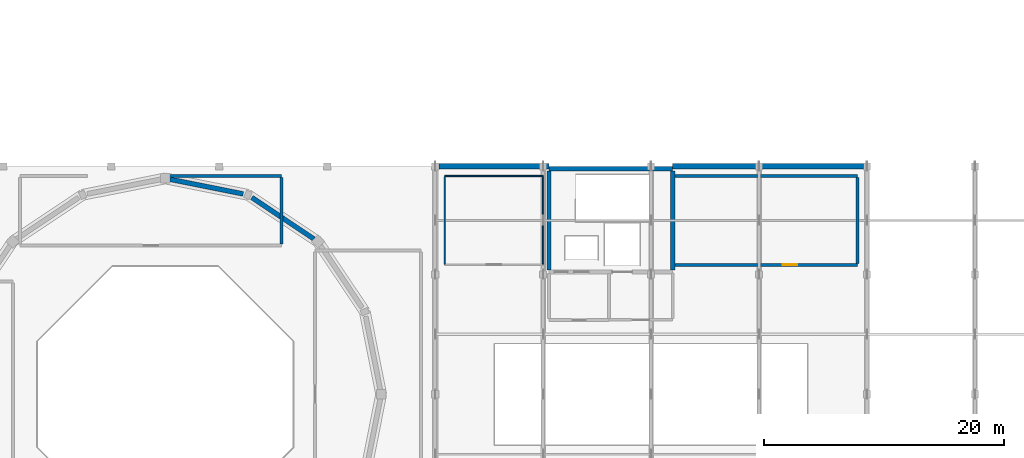
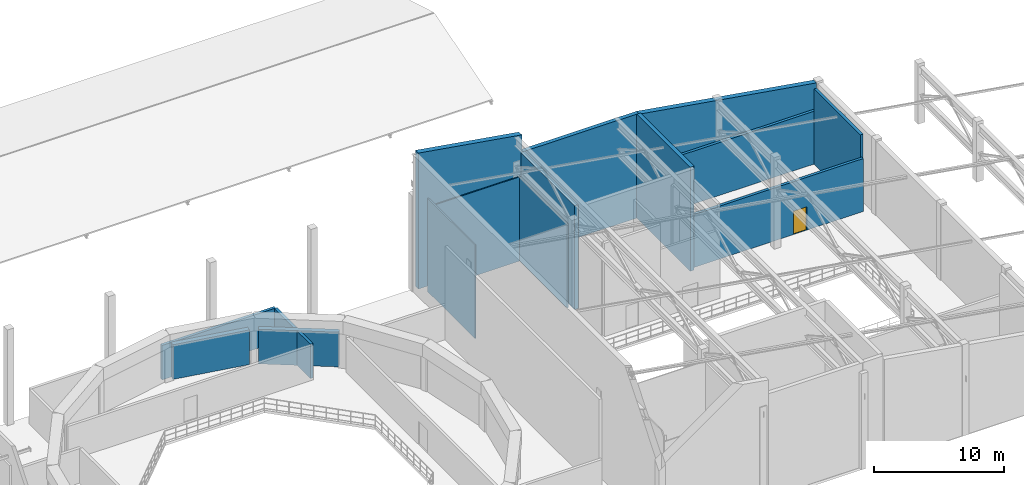
# One storey, part 64 of 68: 15 walls, 1 door, 1 opening.
"""IFC4 building model written with IfcOpenShell, lengths in metres."""

from ifc_helpers import new_model, si_unit, direction, frame, frame_2d, origin, place, context, subcontext, project, spatial, polyline, rectangle, outline, extrude, material, layer, layer_set, type_object, element, fill, save


model = new_model("IFC4")

# Units and contexts
model_context = context("Model", 3, precision=1e-05, world=origin(), true_north=direction((0.0, 1.0)))
body_context = subcontext(model_context, "Body", "Model", "MODEL_VIEW")
ifc_project = project(units=[si_unit("LENGTHUNIT", "METRE"), si_unit("AREAUNIT", "SQUARE_METRE"), si_unit("VOLUMEUNIT", "CUBIC_METRE"), si_unit("PLANEANGLEUNIT", "RADIAN"), si_unit("MASSUNIT", "GRAM", prefix="KILO")], contexts=[model_context])

# Site, building, storey
site_placement = place(None, origin())
site = spatial("IfcSite", under=ifc_project, at=site_placement, CompositionType="ELEMENT")
building_placement = place(site_placement, origin())
building = spatial("IfcBuilding", under=site, at=building_placement, Name="Miravela Opera House", CompositionType="ELEMENT")
storey_placement = place(building_placement, frame((0.0, 0.0, 21.760009765625)))
storey = spatial("IfcBuildingStorey", under=building, at=storey_placement, Name="L05", CompositionType="ELEMENT", Elevation=21.760009765625)

# Walls
ifc_material_1 = material(Name="Double-layer acoustic gypsum partition")
ifc_layer_1 = layer(ifc_material_1, 0.110107421875)
ifc_layer_set_1 = layer_set([ifc_layer_1])
wall_type_1 = type_object("IfcWallType", Name="ARC-PT-110", PredefinedType="PARTITIONING", material=ifc_layer_set_1)
wall_1_placement = place(storey_placement, frame((99.800048828125, 74.199951171875, 0.0), z_axis=(0.0, 0.0, 1.0), x_axis=(1.0, 0.0, 0.0)))
element("IfcWall", 1, at=wall_1_placement, inside=storey, type_object=wall_type_1, Name="Stage Smoke Exhaust Monitoring Room Partition North", PredefinedType="PARTITIONING", context=body_context, shape_type="SweptSolid", body=[
    extrude(rectangle(XDim=8.199951171875, YDim=0.110107421875, at=frame_2d((4.10009765625, 0.0))), origin(), (0.0, 0.0, 1.0), 7.919677734375),
])
wall_2_placement = place(storey_placement, frame((99.800048828125, 66.85498046875, 0.0), z_axis=(0.0, 0.0, 1.0), x_axis=(0.0, 1.0, 0.0)))
element("IfcWall", 2, at=wall_2_placement, inside=storey, type_object=wall_type_1, Name="Stage Smoke Exhaust Monitoring Room Partition West", PredefinedType="PARTITIONING", context=body_context, shape_type="SweptSolid", body=[
    extrude(rectangle(XDim=7.2900390625, YDim=0.110107421875, at=frame_2d((3.64501953125, 0.0))), origin(), (0.0, 0.0, 1.0), 8.780029296875),
])
wall_3_placement = place(storey_placement, frame((108.0, 66.85498046875, 0.0), z_axis=(0.0, 0.0, 1.0), x_axis=(0.0, 1.0, 0.0)))
element("IfcWall", 3, at=wall_3_placement, inside=storey, type_object=wall_type_1, Name="Stage Smoke Exhaust Monitoring Room Partition East", PredefinedType="PARTITIONING", context=body_context, shape_type="SweptSolid", body=[
    extrude(rectangle(XDim=7.2900390625, YDim=0.110107421875, at=frame_2d((3.64501953125, 0.0))), origin(), (0.0, 0.0, 1.0), 7.919677734375),
])

# Wall, opening, door
ifc_material_2 = material(Name="Firefighting lobby compartment wall")
ifc_layer_2 = layer(ifc_material_2, 0.25)
ifc_layer_set_2 = layer_set([ifc_layer_2])
wall_type_2 = type_object("IfcWallType", Name="ARC-PT-220", PredefinedType="PARTITIONING", material=ifc_layer_set_2)
wall_4_placement = place(storey_placement, frame((118.97509765625, 66.800048828125, 0.0), z_axis=(0.0, 0.0, 1.0), x_axis=(1.0, 0.0, 0.0)))
wall_4 = element("IfcWall", 4, at=wall_4_placement, inside=storey, type_object=wall_type_2, Name="Stage Fly Tower Gridiron Rigging Deck Partition South", PredefinedType="PARTITIONING", context=body_context, shape_type="SweptSolid", body=[
    extrude(rectangle(XDim=15.224853515625, YDim=0.25, at=frame_2d((7.6123046875, 0.0))), origin(), (0.0, 0.0, 1.0), 4.974365234375),
])
opening_placement = place(wall_4_placement, frame((8.990234375, 0.0, 0.0)))
opening = element("IfcOpeningElement", 5, at=opening_placement, cuts=wall_4, Name="Opening FD-02", PredefinedType="OPENING", context=body_context, shape_type="SweptSolid", body=[
    extrude(rectangle(XDim=1.199951171875, YDim=2.199951171875, at=frame_2d((0.60009765625, 1.10009765625))), frame((0.0, 0.135009765625, 0.0), z_axis=(0.0, -1.0, 0.0), x_axis=(1.0, 0.0, 0.0)), (0.0, 0.0, 1.0), 0.27001953125),
])
ifc_material_3 = material(Name="Fire-rated gallery/plant exit door")
door_type = type_object("IfcDoorType", Name="ARC-FD-1200X2200", OperationType="NOTDEFINED", PredefinedType="DOOR", material=ifc_material_3)
door_placement = place(opening_placement, origin())
door = element("IfcDoor", 6, at=door_placement, inside=storey, type_object=door_type, Name="Stage Fly Tower Gridiron Rigging Deck Entry Door IDR-L05-0337", OperationType="SINGLE_SWING_LEFT", OverallHeight=2.199951171875, OverallWidth=1.199951171875, PredefinedType="DOOR", context=body_context, shape_type="SweptSolid", body=[
    extrude(rectangle(XDim=1.199951171875, YDim=2.199951171875, at=frame_2d((0.60009765625, 1.10009765625))), frame((0.0, 0.02490234375, 0.0), z_axis=(0.0, -1.0, 0.0), x_axis=(1.0, 0.0, 0.0)), (0.0, 0.0, 1.0), 0.050048828125),
])
fill(opening, door)

# Walls
wall_5_placement = place(storey_placement, frame((118.97509765625, 74.199951171875, 0.0), z_axis=(0.0, 0.0, 1.0), x_axis=(1.0, 0.0, 0.0)))
element("IfcWall", 7, at=wall_5_placement, inside=storey, type_object=wall_type_2, Name="Stage Fly Tower Gridiron Rigging Deck Partition North", PredefinedType="PARTITIONING", context=body_context, shape_type="SweptSolid", body=[
    extrude(rectangle(XDim=15.224853515625, YDim=0.25, at=frame_2d((7.6123046875, 0.0))), origin(), (0.0, 0.0, 1.0), 4.974365234375),
])
wall_6_placement = place(storey_placement, frame((134.199951171875, 66.925048828125, 0.0), z_axis=(0.0, 0.0, 1.0), x_axis=(0.0, 1.0, 0.0)))
element("IfcWall", 8, at=wall_6_placement, inside=storey, type_object=wall_type_2, Name="Stage Fly Tower Gridiron Rigging Deck Partition East", PredefinedType="PARTITIONING", context=body_context, shape_type="SweptSolid", body=[
    extrude(rectangle(XDim=7.14990234375, YDim=0.25, at=frame_2d((3.574951171875, 0.0))), origin(), (0.0, 0.0, 1.0), 7.080078125),
])
wall_7_placement = place(storey_placement, frame((76.107666015625, 74.199951171875, 0.0), z_axis=(0.0, 0.0, 1.0), x_axis=(1.0, 0.0, 0.0)))
element("IfcWall", 9, at=wall_7_placement, inside=storey, type_object=wall_type_2, Name="Orchestral Recording Control Room Partition North 2", PredefinedType="PARTITIONING", context=body_context, shape_type="SweptSolid", body=[
    extrude(rectangle(XDim=10.09228515625, YDim=0.25, at=frame_2d((5.046142578125, 0.0))), origin(), (0.0, 0.0, 1.0), 3.239990234375),
])
wall_8_placement = place(storey_placement, frame((86.199951171875, 68.52490234375, 0.0), z_axis=(0.0, 0.0, 1.0), x_axis=(0.0, 1.0, 0.0)))
element("IfcWall", 10, at=wall_8_placement, inside=storey, type_object=wall_type_2, Name="Orchestral Recording Control Room Partition East", PredefinedType="PARTITIONING", context=body_context, shape_type="SweptSolid", body=[
    extrude(rectangle(XDim=5.550048828125, YDim=0.25, at=frame_2d((2.77490234375, 0.0))), origin(), (0.0, 0.0, 1.0), 3.239990234375),
])
ifc_material_4 = material(Name="Concrete C40/50", Category="concrete")
ifc_layer_3 = layer(ifc_material_4, 0.35009765625)
ifc_layer_set_3 = layer_set([ifc_layer_3])
wall_type_3 = type_object("IfcWallType", Name="STR-WALL-CORE-350", PredefinedType="SHEAR", material=ifc_layer_set_3)
wall_9_placement = place(storey_placement, frame((108.5, 74.800048828125, 0.0), z_axis=(0.0, 0.0, 1.0), x_axis=(1.0, 0.0, 0.0)))
element("IfcWall", 11, at=wall_9_placement, inside=storey, type_object=wall_type_3, Name="Core K3 Shear Wall North (L05)", PredefinedType="SHEAR", context=body_context, shape_type="SweptSolid", body=[
    extrude(rectangle(XDim=10.300048828125, YDim=0.35009765625, at=frame_2d((5.14990234375, 0.0))), origin(), (0.0, 0.0, 1.0), 9.780029296875),
])
for number, where, z_axis, x_axis, name in (
    (12, (108.5, 66.375, 0.0), (0.0, 0.0, 1.0), (0.0, 1.0, 0.0), "Core K3 Shear Wall West (L05)"),
    (13, (118.800048828125, 66.375, 0.0), (0.0, 0.0, 1.0), (0.0, 1.0, 0.0), "Core K3 Shear Wall East (L05)"),
):
    element("IfcWall", number, at=place(storey_placement, frame(where, z_axis=z_axis, x_axis=x_axis)), inside=storey, type_object=wall_type_3, Name=name, PredefinedType="SHEAR", context=body_context, shape_type="SweptSolid", body=[
        extrude(rectangle(XDim=8.25, YDim=0.35009765625, at=frame_2d((4.125, 0.0))), origin(), (0.0, 0.0, 1.0), 9.780029296875),
    ])
ifc_layer_4 = layer(ifc_material_4, 0.39990234375)
ifc_layer_set_4 = layer_set([ifc_layer_4])
wall_type_4 = type_object("IfcWallType", Name="STR-WALL-DRUM-400", PredefinedType="SHEAR", material=ifc_layer_set_4)
wall_10_placement = place(storey_placement, frame((88.895263671875, 68.9501953125, 0.0), z_axis=(0.0, 0.0, 1.0), x_axis=(-0.831458341015, 0.555587101324, 0.0)))
element("IfcWall", 14, at=wall_10_placement, inside=storey, type_object=wall_type_4, Name="Auditorium Drum Shear Wall L05 Seg 3", PredefinedType="SHEAR", context=body_context, shape_type="SweptSolid", body=[
    extrude(rectangle(XDim=6.22314453125, YDim=0.39990234375, at=frame_2d((3.111572265625, 0.0))), origin(), (0.0, 0.0, 1.0), 3.260009765625),
])
wall_11_placement = place(storey_placement, frame((82.99609375, 72.707763671875, 0.0), z_axis=(0.0, 0.0, 1.0), x_axis=(-0.980777834218, 0.195127752786, 0.0)))
element("IfcWall", 15, at=wall_11_placement, inside=storey, type_object=wall_type_4, Name="Auditorium Drum Shear Wall L05 Seg 4", PredefinedType="SHEAR", context=body_context, shape_type="SweptSolid", body=[
    extrude(rectangle(XDim=6.223388671875, YDim=0.39990234375, at=frame_2d((3.11181640625, 0.0))), origin(), (0.0, 0.0, 1.0), 3.260009765625),
])
ifc_layer_5 = layer(ifc_material_4, 0.449951171875)
ifc_layer_set_5 = layer_set([ifc_layer_5])
wall_type_5 = type_object("IfcWallType", Name="STR-WALL-PROSC-450", PredefinedType="SHEAR", material=ifc_layer_set_5)
wall_12_placement = place(storey_placement, frame((99.300048828125, 75.0, 0.0), z_axis=(0.0, 0.0, 1.0), x_axis=(1.0, 0.0, 0.0)))
element("IfcWall", 16, at=wall_12_placement, inside=storey, type_object=wall_type_5, Name="Fly Tower Raked Shear Wall NW (L05)", PredefinedType="SHEAR", context=body_context, shape_type="SweptSolid", body=[
    extrude(outline(polyline([(0.0, 0.0), (9.199951171875, 0.0), (9.199951171875, 11.285400390625), (0.0, 12.790771484375), (0.0, 0.0)])), frame((0.0, 0.22509765625, 0.0), z_axis=(0.0, -1.0, 0.0), x_axis=(1.0, 0.0, 0.0)), (0.0, 0.0, 1.0), 0.449951171875),
])
wall_13_placement = place(storey_placement, frame((118.800048828125, 75.0, 0.0), z_axis=(0.0, 0.0, 1.0), x_axis=(1.0, 0.0, 0.0)))
element("IfcWall", 17, at=wall_13_placement, inside=storey, type_object=wall_type_5, Name="Fly Tower Raked Shear Wall NE (L05)", PredefinedType="SHEAR", context=body_context, shape_type="SweptSolid", body=[
    extrude(outline(polyline([(0.0, 0.0), (15.89990234375, 0.0), (15.89990234375, 6.998291015625), (0.0, 9.60009765625), (0.0, 0.0)])), frame((0.0, 0.22509765625, 0.0), z_axis=(0.0, -1.0, 0.0), x_axis=(1.0, 0.0, 0.0)), (0.0, 0.0, 1.0), 0.449951171875),
])

save(model, "model.ifc")
